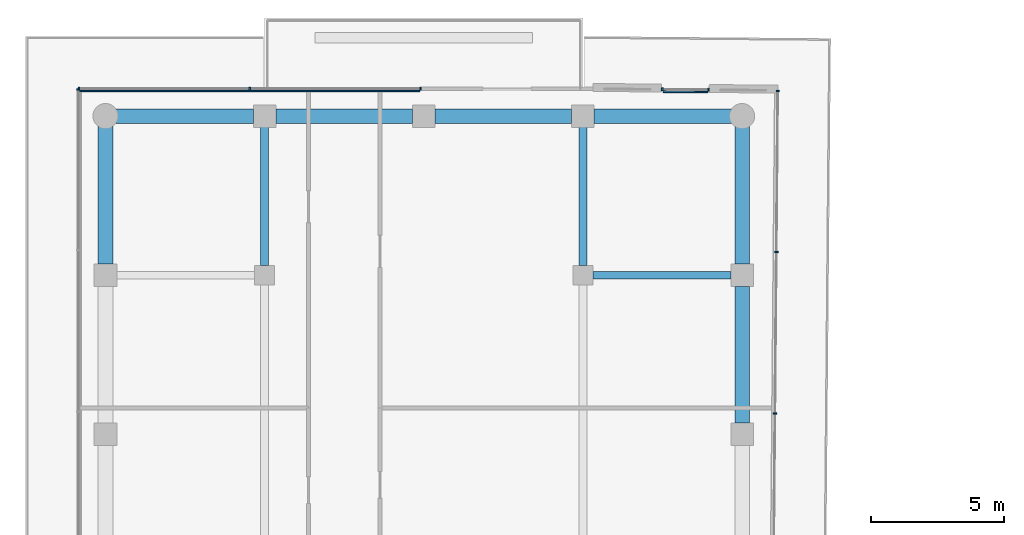
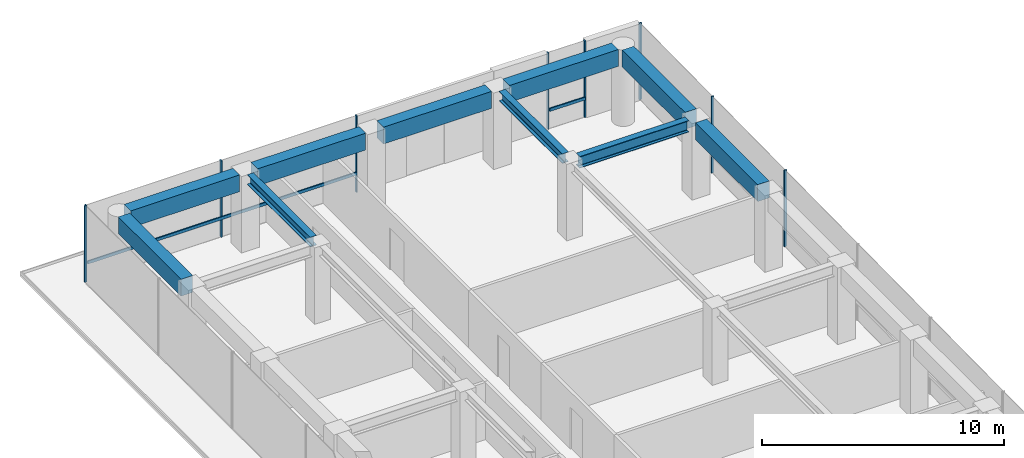
# One storey, part 13 of 19: 11 members, 10 beams, 4 elements without a shape of their own.
"""IFC4 building model written with IfcOpenShell, lengths in metres."""

import ifcopenshell
import ifcopenshell.guid

model = None  # the IFC model being written
_history = None  # IfcOwnerHistory: only IFC2X3 demands one
_inside = {}  # id of a spatial element -> (the spatial element, [elements in it])
_under = {}  # id of a project, library or spatial element -> (it, [spatial elements below it])
_declared = {}  # id of a project -> (the project, [libraries it declares])
_typed = {}  # id of a type object -> (the type object, [elements of that type])
_made_of = {}  # id of a material, layer set ... -> (it, [elements and type objects made of it])


def new_model(schema):
    """Start an empty IFC model of exactly this schema.

    Asked for "IFC4X3", IfcOpenShell would pick the latest addendum, in which some entities
    have other attributes; the version numbers below select the first issue.
    IFC2X3 requires an IfcOwnerHistory on every rooted entity: one is made here for all.
    """
    global model, _history
    if schema == "IFC4X3":
        model = ifcopenshell.file(schema_version=(4, 3, 0, 0))
    else:
        model = ifcopenshell.file(schema=schema)
    _inside.clear()
    _under.clear()
    _declared.clear()
    _typed.clear()
    _made_of.clear()
    _history = None
    if model.schema == "IFC2X3":
        org = make("IfcOrganization", Name="unknown")
        user = make(
            "IfcPersonAndOrganization",
            ThePerson=make("IfcPerson", FamilyName="unknown"),
            TheOrganization=org,
        )
        app = make(
            "IfcApplication",
            ApplicationDeveloper=org,
            Version="unknown",
            ApplicationFullName="unknown",
            ApplicationIdentifier="unknown",
        )
        _history = make(
            "IfcOwnerHistory",
            OwningUser=user,
            OwningApplication=app,
            ChangeAction="ADDED",
            CreationDate=0,
        )
    return model


def make(cls, **values):
    """One entity of the class cls with the attributes given. An attribute that is None is left unset."""
    return model.create_entity(
        cls, **{name: value for name, value in values.items() if value is not None}
    )


def rooted(cls, **values):
    """An entity with a GlobalId (a new one), such as an element, a storey or a relation."""
    return make(cls, GlobalId=ifcopenshell.guid.new(), OwnerHistory=_history, **values)


def si_unit(unit_type, name, prefix=None):
    """IfcSIUnit, for example si_unit("LENGTHUNIT", "METRE", prefix="MILLI")."""
    return make("IfcSIUnit", UnitType=unit_type, Prefix=prefix, Name=name)


def assignment(units):
    """IfcUnitAssignment: the units of a project."""
    return None if units is None else make("IfcUnitAssignment", Units=units)


def point(xyz):
    """IfcCartesianPoint."""
    return None if xyz is None else make("IfcCartesianPoint", Coordinates=xyz)


def direction(xyz):
    """IfcDirection."""
    return None if xyz is None else make("IfcDirection", DirectionRatios=xyz)


def frame(location, z_axis=None, x_axis=None):
    """IfcAxis2Placement3D, a coordinate frame: its origin and axes. An axis left out is left unset."""
    return make(
        "IfcAxis2Placement3D",
        Location=point(location),
        Axis=direction(z_axis),
        RefDirection=direction(x_axis),
    )


def frame_2d(location, x_axis=None):
    """IfcAxis2Placement2D, a coordinate frame in the plane: its origin and x axis."""
    return make(
        "IfcAxis2Placement2D", Location=point(location), RefDirection=direction(x_axis)
    )


def origin():
    """The frame at (0, 0, 0) with its axes left unset."""
    return frame((0.0, 0.0, 0.0))


def origin_2d():
    """The frame at (0, 0) in the plane with its x axis left unset."""
    return frame_2d((0.0, 0.0))


def place(relative_to, where):
    """IfcLocalPlacement: puts the frame where relative to a parent placement (None: the world)."""
    return make(
        "IfcLocalPlacement", PlacementRelTo=relative_to, RelativePlacement=where
    )


def context(
    kind, dimensions, precision=None, world=None, true_north=None, identifier=None
):
    """IfcGeometricRepresentationContext, for example the 3D "Model" context."""
    return make(
        "IfcGeometricRepresentationContext",
        ContextIdentifier=identifier,
        ContextType=kind,
        CoordinateSpaceDimension=dimensions,
        Precision=precision,
        WorldCoordinateSystem=world,
        TrueNorth=true_north,
    )


def subcontext(parent, identifier, kind, view, scale=None):
    """IfcGeometricRepresentationSubContext, for example "Body" below "Model"."""
    return make(
        "IfcGeometricRepresentationSubContext",
        ContextIdentifier=identifier,
        ContextType=kind,
        ParentContext=parent,
        TargetScale=scale,
        TargetView=view,
    )


def project(units=None, contexts=None):
    """IfcProject with its units and contexts."""
    return rooted(
        "IfcProject",
        Name="project",
        RepresentationContexts=contexts,
        UnitsInContext=assignment(units),
    )


def spatial(cls, under=None, at=None, **own):
    """A site, building, storey or space (cls), placed at a placement, below another one or the project."""
    s = rooted(cls, ObjectPlacement=at, **own)
    if under is not None:
        _under.setdefault(under.id(), (under, []))[1].append(s)
    return s


def profile(cls, at=None, kind="AREA", **sizes):
    """A parametric profile (cls). Its sizes go by their IFC names, for example OverallWidth=200.0."""
    return make(cls, ProfileType=kind, Position=at, **sizes)


def rectangle(**sizes):
    """IfcRectangleProfileDef."""
    return profile("IfcRectangleProfileDef", **sizes)


def i_section(**sizes):
    """IfcIShapeProfileDef."""
    return profile("IfcIShapeProfileDef", **sizes)


def extrude(swept, where, along, depth):
    """IfcExtrudedAreaSolid: the profile swept, set in the frame where, extruded along a direction by depth."""
    return make(
        "IfcExtrudedAreaSolid",
        SweptArea=swept,
        Position=where,
        ExtrudedDirection=direction(along),
        Depth=depth,
    )


def shape(context_of_items, identifier, shape_type, items):
    """IfcShapeRepresentation: the items that make up one representation, for example the "Body"."""
    return make(
        "IfcShapeRepresentation",
        ContextOfItems=context_of_items,
        RepresentationIdentifier=identifier,
        RepresentationType=shape_type,
        Items=items,
    )


def material(Name=None, Category=None):
    """IfcMaterial."""
    return make("IfcMaterial", Name=Name, Category=Category)


def layer(
    of_material, thickness, ventilated=None, Name=None, Category=None, Priority=None
):
    """IfcMaterialLayer: one layer of a wall or slab, of a material (None: an air gap)."""
    return make(
        "IfcMaterialLayer",
        Material=of_material,
        LayerThickness=thickness,
        IsVentilated=ventilated,
        Name=Name,
        Category=Category,
        Priority=Priority,
    )


def layer_set(layers, Name=None):
    """IfcMaterialLayerSet."""
    return make("IfcMaterialLayerSet", MaterialLayers=layers, LayerSetName=Name)


def material_profile(
    of_material, cross_section, Name=None, Category=None, Priority=None
):
    """IfcMaterialProfile: a cross section and its material."""
    return make(
        "IfcMaterialProfile",
        Name=Name,
        Material=of_material,
        Profile=cross_section,
        Priority=Priority,
        Category=Category,
    )


def profile_set(profiles, Name=None, composite=None):
    """IfcMaterialProfileSet."""
    return make(
        "IfcMaterialProfileSet",
        Name=Name,
        MaterialProfiles=profiles,
        CompositeProfile=composite,
    )


def made_of(thing, what):
    """Note that an element or type object is made of a material, layer set ...; save() writes the relation."""
    if what is not None:
        _made_of.setdefault(what.id(), (what, []))[1].append(thing)
    return thing


def type_object(cls, material=None, **own):
    """A type object (cls), such as IfcWallType, which elements share."""
    return made_of(rooted(cls, **own), material)


def element(
    cls,
    number,
    at=None,
    inside=None,
    cuts=None,
    type_object=None,
    material=None,
    context=None,
    identifier="Body",
    shape_type=None,
    held_by="IfcProductDefinitionShape",
    body=None,
    shapes=None,
    **own,
):
    """One element of the class cls, such as IfcWall. Its Tag is "e" and its number.

    at: its placement. inside: the storey or other place that contains it. cuts: it is an
    opening in that element (IfcRelVoidsElement). A single representation is given by context,
    identifier, shape_type and body (its items); several are given by shapes. held_by: the class
    of the entity that holds the representations. save() writes the other relations.
    """
    e = rooted(cls, Tag="e%d" % number, ObjectPlacement=at, **own)
    if body is not None:
        shapes = [shape(context, identifier, shape_type, body)]
    if shapes is not None:
        e.Representation = make(held_by, Representations=shapes)
    if inside is not None:
        _inside.setdefault(inside.id(), (inside, []))[1].append(e)
    if cuts is not None:
        rooted(
            "IfcRelVoidsElement", RelatingBuildingElement=cuts, RelatedOpeningElement=e
        )
    if type_object is not None:
        _typed.setdefault(type_object.id(), (type_object, []))[1].append(e)
    return made_of(e, material)


def aggregate(whole, parts):
    """IfcRelAggregates: a whole, such as a stair, and the parts it consists of."""
    return rooted("IfcRelAggregates", RelatingObject=whole, RelatedObjects=parts)


def save(model, path):
    """Write the relations noted so far, then the file.

    IfcRelAggregates (storeys below a building ...), IfcRelContainedInSpatialStructure (elements
    in a storey), IfcRelDefinesByType, IfcRelAssociatesMaterial and IfcRelDeclares: one each for
    every whole, place, type object, material and project.
    """
    for whole, parts in _under.values():
        aggregate(whole, parts)
    for where, things in _inside.values():
        rooted(
            "IfcRelContainedInSpatialStructure",
            RelatedElements=things,
            RelatingStructure=where,
        )
    for kind, things in _typed.values():
        rooted("IfcRelDefinesByType", RelatedObjects=things, RelatingType=kind)
    for what, things in _made_of.values():
        rooted("IfcRelAssociatesMaterial", RelatedObjects=things, RelatingMaterial=what)
    for by, libraries in _declared.values():
        rooted("IfcRelDeclares", RelatingContext=by, RelatedDefinitions=libraries)
    model.write(path)


model = new_model("IFC4")

# Units and contexts
model_context = context("Model", 3, precision=1e-05, world=origin(), true_north=direction((0.0, 1.0)))
body_context = subcontext(model_context, "Body", "Model", "MODEL_VIEW")
ifc_project = project(units=[si_unit("LENGTHUNIT", "METRE"), si_unit("AREAUNIT", "SQUARE_METRE"), si_unit("VOLUMEUNIT", "CUBIC_METRE"), si_unit("PLANEANGLEUNIT", "RADIAN"), si_unit("MASSUNIT", "GRAM", prefix="KILO")], contexts=[model_context])

# Site, building, storey
site_placement = place(None, origin())
site = spatial("IfcSite", under=ifc_project, at=site_placement, CompositionType="ELEMENT")
building_placement = place(site_placement, origin())
building = spatial("IfcBuilding", under=site, at=building_placement, Name="Welwitschia Terrace Campus", CompositionType="ELEMENT")
storey_placement = place(building_placement, frame((0.0, 0.0, 167.60009765625)))
storey = spatial("IfcBuildingStorey", under=building, at=storey_placement, Name="L37", CompositionType="ELEMENT", Elevation=167.60009765625)

# Beams
ifc_material_1 = material(Name="Steel S355", Category="steel")
ifc_material_profile_1 = material_profile(ifc_material_1, i_section(OverallWidth=0.300048828125, OverallDepth=0.489990234375, WebThickness=0.011962890625, FlangeThickness=0.02294921875, FilletRadius=0.027099609375, at=origin_2d()))
ifc_profile_set_1 = profile_set([ifc_material_profile_1], Name="Steel S355")
beam_type_1 = type_object("IfcBeamType", Name="Interior girder HE 500 A", PredefinedType="BEAM", material=ifc_profile_set_1)
for number, where, z_axis, x_axis, name in (
    (1, (6.0, 56.37548828125, 3.60498046875), (0.0, 1.0, 0.0), (-1.0, 0.0, 0.0), "Girder GB4"),
    (2, (18.0, 56.37548828125, 3.60498046875), (0.0, 1.0, 0.0), (-1.0, 0.0, 0.0), "Girder GB4"),
):
    element("IfcBeam", number, at=place(storey_placement, frame(where, z_axis=z_axis, x_axis=x_axis)), inside=storey, type_object=beam_type_1, Name=name, PredefinedType="BEAM", context=body_context, shape_type="SweptSolid", body=[
        extrude(i_section(OverallWidth=0.300048828125, OverallDepth=0.489990234375, WebThickness=0.011962890625, FlangeThickness=0.02294921875, FilletRadius=0.027099609375, at=origin_2d()), origin(), (0.0, 0.0, 1.0), 5.208984375),
    ])

# Curtain wall, members
ifc_material_2 = material(Name="Bronze anodised aluminium", Category="aluminium")
ifc_layer = layer(ifc_material_2, 0.1201171875)
ifc_layer_set = layer_set([ifc_layer], Name="Bronze anodised aluminium")
curtain_wall_type = type_object("IfcCurtainWallType", Name="Curtain wall CW2 tower 6000", PredefinedType="NOTDEFINED", material=ifc_layer_set)
curtain_wall_1_placement = place(storey_placement, origin())
curtain_wall_1 = element("IfcCurtainWall", 3, at=curtain_wall_1_placement, inside=storey, type_object=curtain_wall_type, Name="CW L37.0.1", PredefinedType="NOTDEFINED")
ifc_material_3 = material(Name="Bronze anodised aluminium", Category="aluminium")
ifc_material_profile_2 = material_profile(ifc_material_3, rectangle(XDim=0.1201171875, YDim=0.06005859375, at=origin_2d()))
ifc_profile_set_2 = profile_set([ifc_material_profile_2], Name="Bronze anodised aluminium")
member_type_1 = type_object("IfcMemberType", Name="Mullion 60x120", PredefinedType="MULLION", material=ifc_profile_set_2)
member_1_placement = place(storey_placement, frame((11.875732421875, 63.030029296875, 0.0), z_axis=(0.0, 0.0, 1.0), x_axis=(0.0, -1.0, 0.0)))
member_1 = element("IfcMember", 4, at=member_1_placement, type_object=member_type_1, Name="Mullion L37.0.1.0", PredefinedType="MULLION", context=body_context, shape_type="SweptSolid", body=[
    extrude(rectangle(XDim=0.1201171875, YDim=0.06005859375, at=origin_2d()), origin(), (0.0, 0.0, 1.0), 3.849853515625),
])
member_2_placement = place(storey_placement, frame((5.43798828125, 63.030029296875, 0.0), z_axis=(0.0, 0.0, 1.0), x_axis=(0.0, -1.0, 0.0)))
member_2 = element("IfcMember", 5, at=member_2_placement, type_object=member_type_1, Name="Mullion L37.0.1.1", PredefinedType="MULLION", context=body_context, shape_type="SweptSolid", body=[
    extrude(rectangle(XDim=0.1201171875, YDim=0.06005859375, at=origin_2d()), origin(), (0.0, 0.0, 1.0), 3.849853515625),
])
member_3_placement = place(storey_placement, frame((-1.0, 63.030029296875, 0.0), z_axis=(0.0, 0.0, 1.0), x_axis=(0.0, -1.0, 0.0)))
member_3 = element("IfcMember", 6, at=member_3_placement, type_object=member_type_1, Name="Mullion L37.0.1.2", PredefinedType="MULLION", context=body_context, shape_type="SweptSolid", body=[
    extrude(rectangle(XDim=0.1201171875, YDim=0.06005859375, at=origin_2d()), origin(), (0.0, 0.0, 1.0), 3.849853515625),
])

# Curtain wall, member
curtain_wall_2_placement = place(storey_placement, origin())
curtain_wall_2 = element("IfcCurtainWall", 7, at=curtain_wall_2_placement, inside=storey, type_object=curtain_wall_type, Name="CW L37.1.0", PredefinedType="NOTDEFINED")
member_4_placement = place(storey_placement, frame((-1.030029296875, 63.0, 0.0), z_axis=(0.0, 0.0, 1.0), x_axis=(1.0, 0.0, 0.0)))
member_4 = element("IfcMember", 8, at=member_4_placement, type_object=member_type_1, Name="Mullion L37.1.0.0", PredefinedType="MULLION", context=body_context, shape_type="SweptSolid", body=[
    extrude(rectangle(XDim=0.1201171875, YDim=0.06005859375, at=origin_2d()), origin(), (0.0, 0.0, 1.0), 3.849853515625),
])
aggregate(curtain_wall_2, [member_4])

# Curtain wall, members
curtain_wall_3_placement = place(storey_placement, origin())
curtain_wall_3 = element("IfcCurtainWall", 9, at=curtain_wall_3_placement, inside=storey, type_object=curtain_wall_type, Name="CW L37.11.0", PredefinedType="NOTDEFINED")
member_5_placement = place(storey_placement, frame((25.24267578125, 50.788330078125, 0.0), z_axis=(0.0, 0.0, 1.0), x_axis=(-0.999961923064, 0.008726535498, 0.0)))
member_5 = element("IfcMember", 10, at=member_5_placement, type_object=member_type_1, Name="Mullion L37.11.0.4", PredefinedType="MULLION", context=body_context, shape_type="SweptSolid", body=[
    extrude(rectangle(XDim=0.1201171875, YDim=0.06005859375, at=origin_2d()), origin(), (0.0, 0.0, 1.0), 3.849853515625),
])
member_6_placement = place(storey_placement, frame((25.2958984375, 56.878662109375, 0.0), z_axis=(0.0, 0.0, 1.0), x_axis=(-0.999961923064, 0.008726535498, 0.0)))
member_6 = element("IfcMember", 11, at=member_6_placement, type_object=member_type_1, Name="Mullion L37.11.0.5", PredefinedType="MULLION", context=body_context, shape_type="SweptSolid", body=[
    extrude(rectangle(XDim=0.1201171875, YDim=0.06005859375, at=origin_2d()), origin(), (0.0, 0.0, 1.0), 3.849853515625),
])
member_7_placement = place(storey_placement, frame((25.3486328125, 62.939208984375, 0.0), z_axis=(0.0, 0.0, 1.0), x_axis=(-0.999961923064, 0.008726535498, 0.0)))
member_7 = element("IfcMember", 12, at=member_7_placement, type_object=member_type_1, Name="Mullion L37.11.0.6", PredefinedType="MULLION", context=body_context, shape_type="SweptSolid", body=[
    extrude(rectangle(XDim=0.1201171875, YDim=0.06005859375, at=origin_2d()), origin(), (0.0, 0.0, 1.0), 3.849853515625),
])
aggregate(curtain_wall_3, [member_5, member_6, member_7])

curtain_wall_4_placement = place(storey_placement, origin())
curtain_wall_4 = element("IfcCurtainWall", 13, at=curtain_wall_4_placement, inside=storey, type_object=curtain_wall_type, Name="CW L37.12.S0", PredefinedType="NOTDEFINED")
member_8_placement = place(storey_placement, frame((22.731201171875, 62.991943359375, 0.0), z_axis=(0.0, 0.0, 1.0), x_axis=(-0.008726535498, -0.999961923064, 0.0)))
member_8 = element("IfcMember", 14, at=member_8_placement, type_object=member_type_1, Name="Mullion L37.12.S0.0", PredefinedType="MULLION", context=body_context, shape_type="SweptSolid", body=[
    extrude(rectangle(XDim=0.1201171875, YDim=0.06005859375, at=origin_2d()), origin(), (0.0, 0.0, 1.0), 3.849853515625),
])
member_9_placement = place(storey_placement, frame((20.991455078125, 63.007080078125, 0.0), z_axis=(0.0, 0.0, 1.0), x_axis=(-0.008726535498, -0.999961923064, 0.0)))
member_9 = element("IfcMember", 15, at=member_9_placement, type_object=member_type_1, Name="Mullion L37.12.S0.1", PredefinedType="MULLION", context=body_context, shape_type="SweptSolid", body=[
    extrude(rectangle(XDim=0.1201171875, YDim=0.06005859375, at=origin_2d()), origin(), (0.0, 0.0, 1.0), 3.849853515625),
])

# Beams
ifc_material_4 = material(Name="Steel S355", Category="steel")
ifc_material_profile_3 = material_profile(ifc_material_4, i_section(OverallWidth=0.300048828125, OverallDepth=0.590087890625, WebThickness=0.012939453125, FlangeThickness=0.02490234375, FilletRadius=0.027099609375, at=origin_2d()))
ifc_profile_set_3 = profile_set([ifc_material_profile_3], Name="Steel S355")
beam_type_2 = type_object("IfcBeamType", Name="Primary beam HE 600 A", PredefinedType="BEAM", material=ifc_profile_set_3)
beam_1_placement = place(storey_placement, frame((23.574462890625, 56.0, 3.554931640625), z_axis=(-1.0, 0.0, 0.0), x_axis=(0.0, -1.0, 0.0)))
element("IfcBeam", 16, at=beam_1_placement, inside=storey, type_object=beam_type_2, Name="Primary beam PB4", PredefinedType="BEAM", context=body_context, shape_type="SweptSolid", body=[
    extrude(i_section(OverallWidth=0.300048828125, OverallDepth=0.590087890625, WebThickness=0.012939453125, FlangeThickness=0.02490234375, FilletRadius=0.027099609375, at=origin_2d()), origin(), (0.0, 0.0, 1.0), 5.198974609375),
])
ifc_material_5 = material(Name="Concrete C50/60", Category="concrete")
ifc_material_profile_4 = material_profile(ifc_material_5, rectangle(XDim=0.550048828125, YDim=0.85009765625, at=origin_2d()))
ifc_profile_set_4 = profile_set([ifc_material_profile_4], Name="Concrete C50/60")
beam_type_3 = type_object("IfcBeamType", Name="Ring spandrel 550x850", PredefinedType="SPANDREL", material=ifc_profile_set_4)
beam_2_placement = place(storey_placement, frame((24.0, 50.425537109375, 3.4248046875), z_axis=(0.0, 1.0, 0.0), x_axis=(-1.0, 0.0, 0.0)))
element("IfcBeam", 17, at=beam_2_placement, inside=storey, type_object=beam_type_3, Name="Spandrel SP3", PredefinedType="SPANDREL", context=body_context, shape_type="SweptSolid", body=[
    extrude(rectangle(XDim=0.550048828125, YDim=0.85009765625, at=origin_2d()), origin(), (0.0, 0.0, 1.0), 5.14892578125),
])
for number, where, z_axis, x_axis, name in (
    (18, (24.0, 56.425537109375, 3.4248046875), (0.0, 1.0, 0.0), (-1.0, 0.0, 0.0), "Spandrel SP3"),
    (19, (23.612060546875, 62.0, 3.4248046875), (-1.0, 0.0, 0.0), (0.0, -1.0, 0.0), "Spandrel SP3"),
):
    element("IfcBeam", number, at=place(storey_placement, frame(where, z_axis=z_axis, x_axis=x_axis)), inside=storey, type_object=beam_type_3, Name=name, PredefinedType="SPANDREL", context=body_context, shape_type="SweptSolid", body=[
        extrude(rectangle(XDim=0.550048828125, YDim=0.85009765625, at=origin_2d()), origin(), (0.0, 0.0, 1.0), 5.1865234375),
    ])
for number, where, z_axis, x_axis, name in (
    (20, (17.574462890625, 62.0, 3.4248046875), (-1.0, 0.0, 0.0), (0.0, -1.0, 0.0), "Spandrel SP3"),
    (21, (11.574462890625, 62.0, 3.4248046875), (-1.0, 0.0, 0.0), (0.0, -1.0, 0.0), "Spandrel SP3"),
):
    element("IfcBeam", number, at=place(storey_placement, frame(where, z_axis=z_axis, x_axis=x_axis)), inside=storey, type_object=beam_type_3, Name=name, PredefinedType="SPANDREL", context=body_context, shape_type="SweptSolid", body=[
        extrude(rectangle(XDim=0.550048828125, YDim=0.85009765625, at=origin_2d()), origin(), (0.0, 0.0, 1.0), 5.14892578125),
    ])
for number, where, z_axis, x_axis, name in (
    (22, (5.574462890625, 62.0, 3.4248046875), (-1.0, 0.0, 0.0), (0.0, -1.0, 0.0), "Spandrel SP3"),
    (23, (0.0, 61.612060546875, 3.4248046875), (0.0, -1.0, 0.0), (1.0, 0.0, 0.0), "Spandrel SP3"),
):
    element("IfcBeam", number, at=place(storey_placement, frame(where, z_axis=z_axis, x_axis=x_axis)), inside=storey, type_object=beam_type_3, Name=name, PredefinedType="SPANDREL", context=body_context, shape_type="SweptSolid", body=[
        extrude(rectangle(XDim=0.550048828125, YDim=0.85009765625, at=origin_2d()), origin(), (0.0, 0.0, 1.0), 5.1865234375),
    ])

# Member
ifc_material_6 = material(Name="Bronze anodised aluminium", Category="aluminium")
ifc_material_profile_5 = material_profile(ifc_material_6, rectangle(XDim=0.06005859375, YDim=0.14990234375, at=origin_2d()))
ifc_profile_set_5 = profile_set([ifc_material_profile_5], Name="Bronze anodised aluminium")
member_type_2 = type_object("IfcMemberType", Name="Transom 60x150", PredefinedType="USERDEFINED", material=ifc_profile_set_5)
member_10_placement = place(storey_placement, frame((11.845703125, 62.93994140625, 1.0), z_axis=(-1.0, 0.0, 0.0), x_axis=(0.0, -1.0, 0.0)))
member_10 = element("IfcMember", 24, at=member_10_placement, type_object=member_type_2, Name="Transom L37.0.1", ObjectType="TRANSOM", PredefinedType="USERDEFINED", context=body_context, shape_type="SweptSolid", body=[
    extrude(rectangle(XDim=0.06005859375, YDim=0.14990234375, at=origin_2d()), origin(), (0.0, 0.0, 1.0), 12.815673828125),
])

aggregate(curtain_wall_1, [member_1, member_2, member_3, member_10])

member_11_placement = place(storey_placement, frame((22.700439453125, 62.90234375, 1.0), z_axis=(-0.999961985908, 0.00871933137, 0.0), x_axis=(-0.00871933137, -0.999961985908, 0.0)))
member_11 = element("IfcMember", 25, at=member_11_placement, type_object=member_type_2, Name="Transom L37.12.S0", ObjectType="TRANSOM", PredefinedType="USERDEFINED", context=body_context, shape_type="SweptSolid", body=[
    extrude(rectangle(XDim=0.06005859375, YDim=0.14990234375, at=origin_2d()), origin(), (0.0, 0.0, 1.0), 1.679931640625),
])

aggregate(curtain_wall_4, [member_8, member_9, member_11])

save(model, "model.ifc")
